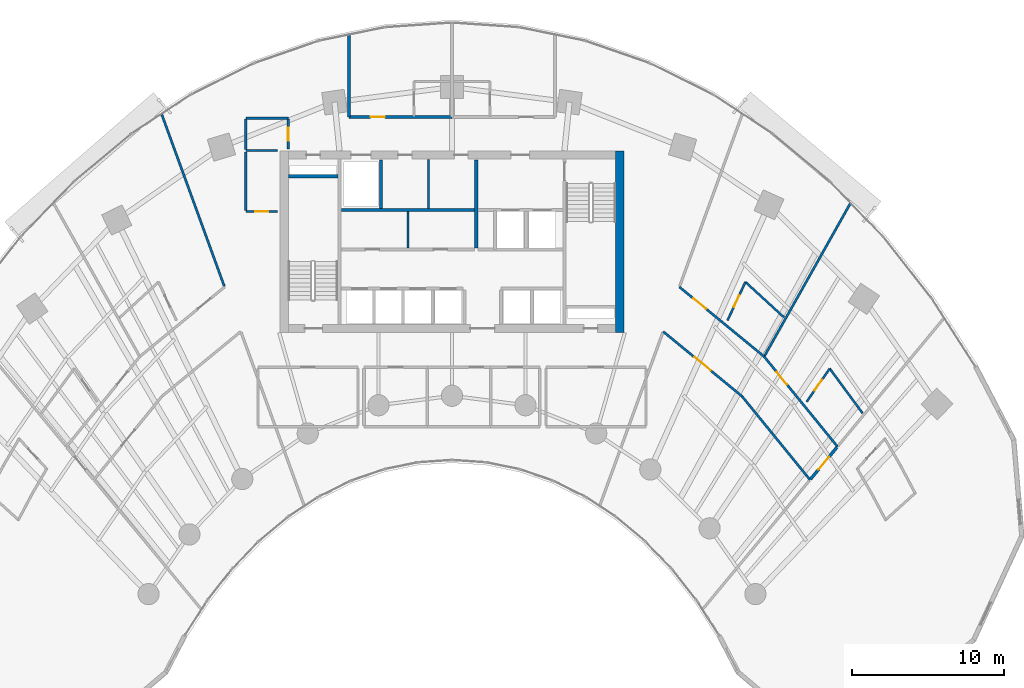
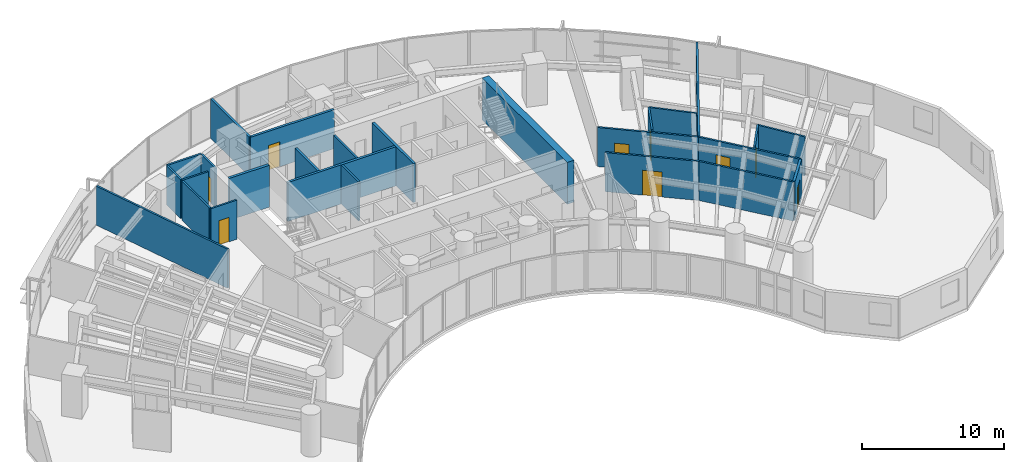
# One storey, part 13 of 17: 26 walls, 9 doors, 9 openings.
"""IFC4 building model written with IfcOpenShell, lengths in metres."""

from ifc_helpers import new_model, si_unit, direction, frame, frame_2d, origin, place, context, subcontext, project, spatial, rectangle, extrude, source, transform, mapped, material, layer, layer_set, type_object, type_shapes, element, fill, save


model = new_model("IFC4")

# Units and contexts
model_context = context("Model", 3, precision=1e-05, world=origin(), true_north=direction((0.0, 1.0)))
body_context = subcontext(model_context, "Body", "Model", "MODEL_VIEW")
ifc_project = project(units=[si_unit("LENGTHUNIT", "METRE"), si_unit("AREAUNIT", "SQUARE_METRE"), si_unit("VOLUMEUNIT", "CUBIC_METRE"), si_unit("PLANEANGLEUNIT", "RADIAN"), si_unit("MASSUNIT", "GRAM", prefix="KILO")], contexts=[model_context])

# Site, building, storey
site_placement = place(None, origin())
site = spatial("IfcSite", under=ifc_project, at=site_placement, CompositionType="ELEMENT")
building_placement = place(site_placement, origin())
building = spatial("IfcBuilding", under=site, at=building_placement, Name="Breltana Convention Tower", CompositionType="ELEMENT")
storey_placement = place(building_placement, frame((0.0, 0.0, 46.199951171875)))
storey = spatial("IfcBuildingStorey", under=building, at=storey_placement, Name="L09", CompositionType="ELEMENT", Elevation=46.199951171875)

# Walls
ifc_material_1 = material(Name="Concrete C60/75", Category="concrete")
ifc_layer_1 = layer(ifc_material_1, 0.550048828125, Name="Concrete C60/75")
ifc_layer_set_1 = layer_set([ifc_layer_1], Name="Concrete C60/75")
wall_type_1 = type_object("IfcWallType", Name="SW-CORE-550", PredefinedType="SHEAR", material=ifc_layer_set_1)
shared_shape_1 = source(origin(), body_context, "Body", "SweptSolid", [
    extrude(rectangle(XDim=12.0, YDim=0.550048828125, at=frame_2d((6.0, 0.0))), origin(), (0.0, 0.0, 1.0), 3.60009765625),
])
wall_1_placement = place(storey_placement, frame((59.074951171875, 60.199951171875, 0.0), z_axis=(0.0, 0.0, 1.0), x_axis=(0.0, 1.0, 0.0)))
element("IfcWall", 1, at=wall_1_placement, inside=storey, type_object=wall_type_1, Name="L09 East Core Shear Wall", PredefinedType="SHEAR", context=body_context, shape_type="MappedRepresentation", body=[
    mapped(shared_shape_1, transform((0.0, 0.0, 0.0), scale=1.0)),
])
ifc_material_2 = material(Name="Concrete C50/60", Category="concrete")
ifc_layer_2 = layer(ifc_material_2, 0.39990234375, Name="Concrete C50/60")
ifc_layer_set_2 = layer_set([ifc_layer_2], Name="Concrete C50/60")
wall_type_2 = type_object("IfcWallType", Name="SW-CORE-400", PredefinedType="SHEAR", material=ifc_layer_set_2)
shared_shape_2 = source(origin(), body_context, "Body", "SweptSolid", [
    extrude(rectangle(XDim=3.27001953125, YDim=0.219970703125, at=frame_2d((1.635009765625, 0.0))), origin(), (0.0, 0.0, 1.0), 3.60009765625),
])
wall_2_placement = place(storey_placement, frame((37.199951171875, 70.510009765625, 0.0), z_axis=(0.0, 0.0, 1.0), x_axis=(1.0, 0.0, 0.0)))
element("IfcWall", 2, at=wall_2_placement, inside=storey, type_object=wall_type_2, Name="L09 ST-1 Stairwell North Bearing Wall", PredefinedType="SHEAR", context=body_context, shape_type="MappedRepresentation", body=[
    mapped(shared_shape_2, transform((0.0, 0.0, 0.0), scale=1.0)),
])
ifc_material_3 = material(Name="Autoclaved Aerated Concrete Block", Category="concrete")
ifc_layer_3 = layer(ifc_material_3, 0.199951171875, Name="Autoclaved Aerated Concrete Block")
ifc_layer_set_3 = layer_set([ifc_layer_3], Name="Autoclaved Aerated Concrete Block")
wall_type_3 = type_object("IfcWallType", Name="WL-SHAFT-200", PredefinedType="SOLIDWALL", material=ifc_layer_set_3)
shared_shape_3 = source(origin(), body_context, "Body", "SweptSolid", [
    extrude(rectangle(XDim=5.800048828125, YDim=0.199951171875, at=frame_2d((2.89990234375, 0.0))), origin(), (0.0, 0.0, 1.0), 3.360107421875),
])
wall_3_placement = place(storey_placement, frame((49.60009765625, 65.800048828125, 0.0), z_axis=(0.0, 0.0, 1.0), x_axis=(0.0, 1.0, 0.0)))
element("IfcWall", 3, at=wall_3_placement, inside=storey, type_object=wall_type_3, Name="L09 interior partition W-L09-FFL-W", PredefinedType="SOLIDWALL", context=body_context, shape_type="MappedRepresentation", body=[
    mapped(shared_shape_3, transform((0.0, 0.0, 0.0), scale=1.0)),
])
shared_shape_4 = source(origin(), body_context, "Body", "SweptSolid", [
    extrude(rectangle(XDim=3.2001953125, YDim=0.199951171875, at=frame_2d((1.60009765625, 0.0))), origin(), (0.0, 0.0, 1.0), 3.360107421875),
])
wall_4_placement = place(storey_placement, frame((43.320068359375, 68.39990234375, 0.0), z_axis=(0.0, 0.0, 1.0), x_axis=(0.0, 1.0, 0.0)))
element("IfcWall", 4, at=wall_4_placement, inside=storey, type_object=wall_type_3, Name="L09 interior partition W-L09-SV-E", PredefinedType="SOLIDWALL", context=body_context, shape_type="MappedRepresentation", body=[
    mapped(shared_shape_4, transform((0.0, 0.0, 0.0), scale=1.0)),
])
shared_shape_5 = source(origin(), body_context, "Body", "SweptSolid", [
    extrude(rectangle(XDim=8.800048828125, YDim=0.199951171875, at=frame_2d((4.39990234375, 0.0))), origin(), (0.0, 0.0, 1.0), 3.360107421875),
])
wall_5_placement = place(storey_placement, frame((40.699951171875, 68.300048828125, 0.0), z_axis=(0.0, 0.0, 1.0), x_axis=(1.0, 0.0, 0.0)))
element("IfcWall", 5, at=wall_5_placement, inside=storey, type_object=wall_type_3, Name="L09 interior partition W-L09-SV-S", PredefinedType="SOLIDWALL", context=body_context, shape_type="MappedRepresentation", body=[
    mapped(shared_shape_5, transform((0.0, 0.0, 0.0), scale=1.0)),
])

# Wall, opening, door
ifc_material_4 = material(Name="Gypsum Acoustic Hotel Wall")
ifc_layer_4 = layer(ifc_material_4, 0.195068359375, Name="Gypsum Acoustic Hotel Wall")
ifc_layer_set_4 = layer_set([ifc_layer_4], Name="Gypsum Acoustic Hotel Wall")
wall_type_4 = type_object("IfcWallType", Name="WL-HOTEL-200", PredefinedType="PARTITIONING", material=ifc_layer_set_4)
shared_shape_6 = source(origin(), body_context, "Body", "SweptSolid", [
    extrude(rectangle(XDim=6.800048828125, YDim=0.195068359375, at=frame_2d((3.39990234375, 0.0))), origin(), (0.0, 0.0, 1.0), 3.360107421875),
])
type_shapes(wall_type_4, [shared_shape_6])
wall_6_placement = place(storey_placement, frame((41.199951171875, 74.419921875, 0.0), z_axis=(0.0, 0.0, 1.0), x_axis=(1.0, 0.0, 0.0)))
wall_6 = element("IfcWall", 6, at=wall_6_placement, inside=storey, type_object=wall_type_4, Name="L09 interior partition W-L09-GRN1-S", PredefinedType="PARTITIONING", context=body_context, shape_type="MappedRepresentation", body=[
    mapped(shared_shape_6, transform((0.0, 0.0, 0.0), scale=1.0)),
])
opening_1_placement = place(wall_6_placement, frame((1.428955078125, 0.0, 0.0)))
opening_1 = element("IfcOpeningElement", 7, at=opening_1_placement, cuts=wall_6, Name="Opening D-14", PredefinedType="OPENING", context=body_context, shape_type="SweptSolid", body=[
    extrude(rectangle(XDim=0.949951171875, YDim=2.14990234375, at=frame_2d((0.47509765625, 1.074951171875))), frame((0.0, 0.107421875, 0.0), z_axis=(0.0, -1.0, 0.0), x_axis=(1.0, 0.0, 0.0)), (0.0, 0.0, 1.0), 0.215087890625),
])
ifc_material_5 = material(Name="Timber Solid-Core Fire Door", Category="wood")
door_type_1 = type_object("IfcDoorType", Name="DR-FD60-950", OperationType="NOTDEFINED", PredefinedType="DOOR", material=ifc_material_5)
shared_shape_7 = source(origin(), body_context, "Body", "SweptSolid", [
    extrude(rectangle(XDim=0.949951171875, YDim=2.14990234375, at=frame_2d((0.47509765625, 1.074951171875))), frame((0.0, 0.02490234375, 0.0), z_axis=(0.0, -1.0, 0.0), x_axis=(1.0, 0.0, 0.0)), (0.0, 0.0, 1.0), 0.050048828125),
])
type_shapes(door_type_1, [shared_shape_7])
door_1_placement = place(opening_1_placement, origin())
door_1 = element("IfcDoor", 8, at=door_1_placement, inside=storey, type_object=door_type_1, Name="L09 interior door D-L09-GRN1", OperationType="SINGLE_SWING_RIGHT", OverallHeight=2.14990234375, OverallWidth=0.949951171875, PredefinedType="DOOR", context=body_context, shape_type="MappedRepresentation", body=[
    mapped(shared_shape_7, transform((0.0, 0.0, 0.0), scale=1.0)),
])
fill(opening_1, door_1)

# Wall
shared_shape_8 = source(origin(), body_context, "Body", "SweptSolid", [
    extrude(rectangle(XDim=5.42626953125, YDim=0.195068359375, at=frame_2d((2.713134765625, 0.0))), origin(), (0.0, 0.0, 1.0), 3.360107421875),
])
wall_7_placement = place(storey_placement, frame((41.199951171875, 74.419921875, 0.0), z_axis=(0.0, 0.0, 1.0), x_axis=(0.0, 1.0, 0.0)))
element("IfcWall", 9, at=wall_7_placement, inside=storey, type_object=wall_type_4, Name="L09 interior partition W-L09-GRN1-SD", PredefinedType="PARTITIONING", context=body_context, shape_type="MappedRepresentation", body=[
    mapped(shared_shape_8, transform((0.0, 0.0, 0.0), scale=1.0)),
])

# Wall, opening, door
shared_shape_9 = source(origin(), body_context, "Body", "SweptSolid", [
    extrude(rectangle(XDim=2.748291015625, YDim=0.195068359375, at=frame_2d((1.3740234375, 0.0))), origin(), (0.0, 0.0, 1.0), 3.360107421875),
])
wall_8_placement = place(storey_placement, frame((71.64697265625, 50.531005859375, 0.0), z_axis=(0.0, 0.0, 1.0), x_axis=(0.638111168284, 0.769944242729, 0.0)))
wall_8 = element("IfcWall", 10, at=wall_8_placement, inside=storey, type_object=wall_type_4, Name="L09 interior partition W-L09-CS-E-END", PredefinedType="PARTITIONING", context=body_context, shape_type="MappedRepresentation", body=[
    mapped(shared_shape_9, transform((0.0, 0.0, 0.0), scale=1.0)),
])
opening_2_placement = place(wall_8_placement, frame((0.84912109375, 0.0, 0.0)))
opening_2 = element("IfcOpeningElement", 11, at=opening_2_placement, cuts=wall_8, Name="Opening D-13", PredefinedType="OPENING", context=body_context, shape_type="SweptSolid", body=[
    extrude(rectangle(XDim=1.050048828125, YDim=2.14990234375, at=frame_2d((0.52490234375, 1.074951171875))), frame((0.0, 0.107421875, 0.0), z_axis=(0.0, -1.0, 0.0), x_axis=(1.0, 0.0, 0.0)), (0.0, 0.0, 1.0), 0.215087890625),
])
door_type_2 = type_object("IfcDoorType", Name="DR-FD60-1050", OperationType="NOTDEFINED", PredefinedType="DOOR", material=ifc_material_5)
shared_shape_10 = source(origin(), body_context, "Body", "SweptSolid", [
    extrude(rectangle(XDim=1.050048828125, YDim=2.14990234375, at=frame_2d((0.52490234375, 1.074951171875))), frame((0.0, 0.02490234375, 0.0), z_axis=(0.0, -1.0, 0.0), x_axis=(1.0, 0.0, 0.0)), (0.0, 0.0, 1.0), 0.050048828125),
])
type_shapes(door_type_2, [shared_shape_10])
door_2_placement = place(opening_2_placement, origin())
door_2 = element("IfcDoor", 12, at=door_2_placement, inside=storey, type_object=door_type_2, Name="L09 interior door D-L09-CS-E", OperationType="SINGLE_SWING_RIGHT", OverallHeight=2.14990234375, OverallWidth=1.050048828125, PredefinedType="DOOR", context=body_context, shape_type="MappedRepresentation", body=[
    mapped(shared_shape_10, transform((0.0, 0.0, 0.0), scale=1.0)),
])
fill(opening_2, door_2)

# Walls
ifc_material_6 = material(Name="Gypsum Acoustic Drywall Partition")
ifc_layer_5 = layer(ifc_material_6, 0.14990234375, Name="Gypsum Acoustic Drywall Partition")
ifc_layer_set_5 = layer_set([ifc_layer_5], Name="Gypsum Acoustic Drywall Partition")
wall_type_5 = type_object("IfcWallType", Name="WL-PART-150", PredefinedType="PARTITIONING", material=ifc_layer_set_5)
shared_shape_11 = source(origin(), body_context, "Body", "SweptSolid", [
    extrude(rectangle(XDim=3.22998046875, YDim=0.14990234375, at=frame_2d((1.614990234375, 0.0))), origin(), (0.0, 0.0, 1.0), 3.360107421875),
])
wall_9_placement = place(storey_placement, frame((46.449951171875, 68.39990234375, 0.0), z_axis=(0.0, 0.0, 1.0), x_axis=(0.0, 1.0, 0.0)))
element("IfcWall", 13, at=wall_9_placement, inside=storey, type_object=wall_type_5, Name="L09 interior partition W-L09-KV-1", PredefinedType="PARTITIONING", context=body_context, shape_type="MappedRepresentation", body=[
    mapped(shared_shape_11, transform((0.0, 0.0, 0.0), scale=1.0)),
])
shared_shape_12 = source(origin(), body_context, "Body", "SweptSolid", [
    extrude(rectangle(XDim=2.39990234375, YDim=0.14990234375, at=frame_2d((1.199951171875, 0.0))), origin(), (0.0, 0.0, 1.0), 3.360107421875),
])
wall_10_placement = place(storey_placement, frame((45.10009765625, 65.800048828125, 0.0), z_axis=(0.0, 0.0, 1.0), x_axis=(0.0, 1.0, 0.0)))
element("IfcWall", 14, at=wall_10_placement, inside=storey, type_object=wall_type_5, Name="L09 interior partition W-L09-LV7-B2-DIV", PredefinedType="PARTITIONING", context=body_context, shape_type="MappedRepresentation", body=[
    mapped(shared_shape_12, transform((0.0, 0.0, 0.0), scale=1.0)),
])
shared_shape_13 = source(origin(), body_context, "Body", "SweptSolid", [
    extrude(rectangle(XDim=2.10009765625, YDim=0.14990234375, at=frame_2d((1.050048828125, 0.0))), origin(), (0.0, 0.0, 1.0), 3.360107421875),
])
wall_11_placement = place(storey_placement, frame((34.39990234375, 72.219970703125, 0.0), z_axis=(0.0, 0.0, 1.0), x_axis=(1.0, 0.0, 0.0)))
element("IfcWall", 15, at=wall_11_placement, inside=storey, type_object=wall_type_5, Name="L09 interior partition W-L09-CRNW-S", PredefinedType="PARTITIONING", context=body_context, shape_type="MappedRepresentation", body=[
    mapped(shared_shape_13, transform((0.0, 0.0, 0.0), scale=1.0)),
])

# Wall, opening, door
wall_12_placement = place(storey_placement, frame((34.39990234375, 68.199951171875, 0.0), z_axis=(0.0, 0.0, 1.0), x_axis=(1.0, 0.0, 0.0)))
wall_12 = element("IfcWall", 16, at=wall_12_placement, inside=storey, type_object=wall_type_5, Name="L09 interior partition W-L09-CRSW-S", PredefinedType="PARTITIONING", context=body_context, shape_type="MappedRepresentation", body=[
    mapped(shared_shape_13, transform((0.0, 0.0, 0.0), scale=1.0)),
])
opening_3_placement = place(wall_12_placement, frame((0.625, 0.0, 0.0)))
opening_3 = element("IfcOpeningElement", 17, at=opening_3_placement, cuts=wall_12, Name="Opening D-20", PredefinedType="OPENING", context=body_context, shape_type="SweptSolid", body=[
    extrude(rectangle(XDim=0.85009765625, YDim=2.10009765625, at=frame_2d((0.425048828125, 1.050048828125))), frame((0.0, 0.0849609375, 0.0), z_axis=(0.0, -1.0, 0.0), x_axis=(1.0, 0.0, 0.0)), (0.0, 0.0, 1.0), 0.169921875),
])
ifc_material_7 = material(Name="Steel Closet Fire Door", Category="steel")
door_type_3 = type_object("IfcDoorType", Name="DR-FD60-850", OperationType="NOTDEFINED", PredefinedType="DOOR", material=ifc_material_7)
shared_shape_14 = source(origin(), body_context, "Body", "SweptSolid", [
    extrude(rectangle(XDim=0.85009765625, YDim=2.10009765625, at=frame_2d((0.425048828125, 1.050048828125))), frame((0.0, 0.02490234375, 0.0), z_axis=(0.0, -1.0, 0.0), x_axis=(1.0, 0.0, 0.0)), (0.0, 0.0, 1.0), 0.050048828125),
])
type_shapes(door_type_3, [shared_shape_14])
door_3_placement = place(opening_3_placement, origin())
door_3 = element("IfcDoor", 18, at=door_3_placement, inside=storey, type_object=door_type_3, Name="L09 interior door D-L09-CRSW", OperationType="SINGLE_SWING_RIGHT", OverallHeight=2.10009765625, OverallWidth=0.85009765625, PredefinedType="DOOR", context=body_context, shape_type="MappedRepresentation", body=[
    mapped(shared_shape_14, transform((0.0, 0.0, 0.0), scale=1.0)),
])
fill(opening_3, door_3)

# Walls
shared_shape_15 = source(origin(), body_context, "Body", "SweptSolid", [
    extrude(rectangle(XDim=2.800048828125, YDim=0.14990234375, at=frame_2d((1.39990234375, 0.0))), origin(), (0.0, 0.0, 1.0), 3.360107421875),
])
wall_13_placement = place(storey_placement, frame((34.39990234375, 74.35009765625, 0.0), z_axis=(0.0, 0.0, 1.0), x_axis=(1.0, 0.0, 0.0)))
element("IfcWall", 19, at=wall_13_placement, inside=storey, type_object=wall_type_5, Name="L09 interior partition W-L09-CRNW-N", PredefinedType="PARTITIONING", context=body_context, shape_type="MappedRepresentation", body=[
    mapped(shared_shape_15, transform((0.0, 0.0, 0.0), scale=1.0)),
])
shared_shape_16 = source(origin(), body_context, "Body", "SweptSolid", [
    extrude(rectangle(XDim=1.994873046875, YDim=0.14990234375, at=frame_2d((0.99755859375, 0.0))), origin(), (0.0, 0.0, 1.0), 3.360107421875),
])
wall_14_placement = place(storey_placement, frame((34.39990234375, 72.28759765625, 0.0), z_axis=(0.0, 0.0, 1.0), x_axis=(0.0, 1.0, 0.0)))
element("IfcWall", 20, at=wall_14_placement, inside=storey, type_object=wall_type_5, Name="L09 interior partition W-L09-CRNW-W", PredefinedType="PARTITIONING", context=body_context, shape_type="MappedRepresentation", body=[
    mapped(shared_shape_16, transform((0.0, 0.0, 0.0), scale=1.0)),
])

# Wall, opening, door
shared_shape_17 = source(origin(), body_context, "Body", "SweptSolid", [
    extrude(rectangle(XDim=1.982421875, YDim=0.14990234375, at=frame_2d((0.9912109375, 0.0))), origin(), (0.0, 0.0, 1.0), 3.360107421875),
])
wall_15_placement = place(storey_placement, frame((37.199951171875, 72.300048828125, 0.0), z_axis=(0.0, 0.0, 1.0), x_axis=(0.0, 1.0, 0.0)))
wall_15 = element("IfcWall", 21, at=wall_15_placement, inside=storey, type_object=wall_type_5, Name="L09 interior partition W-L09-CRNW-E", PredefinedType="PARTITIONING", context=body_context, shape_type="MappedRepresentation", body=[
    mapped(shared_shape_17, transform((0.0, 0.0, 0.0), scale=1.0)),
])
opening_4_placement = place(wall_15_placement, frame((0.56640625, 0.0, 0.0)))
opening_4 = element("IfcOpeningElement", 22, at=opening_4_placement, cuts=wall_15, Name="Opening D-20", PredefinedType="OPENING", context=body_context, shape_type="SweptSolid", body=[
    extrude(rectangle(XDim=0.85009765625, YDim=2.10009765625, at=frame_2d((0.425048828125, 1.050048828125))), frame((0.0, 0.0849609375, 0.0), z_axis=(0.0, -1.0, 0.0), x_axis=(1.0, 0.0, 0.0)), (0.0, 0.0, 1.0), 0.169921875),
])
door_4_placement = place(opening_4_placement, origin())
door_4 = element("IfcDoor", 23, at=door_4_placement, inside=storey, type_object=door_type_3, Name="L09 interior door D-L09-CRNW", OperationType="SINGLE_SWING_LEFT", OverallHeight=2.10009765625, OverallWidth=0.85009765625, PredefinedType="DOOR", context=body_context, shape_type="MappedRepresentation", body=[
    mapped(shared_shape_14, transform((0.0, 0.0, 0.0), scale=1.0)),
])
fill(opening_4, door_4)

# Wall
shared_shape_18 = source(origin(), body_context, "Body", "SweptSolid", [
    extrude(rectangle(XDim=3.844970703125, YDim=0.14990234375, at=frame_2d((1.92236328125, 0.0))), origin(), (0.0, 0.0, 1.0), 3.360107421875),
])
wall_16_placement = place(storey_placement, frame((34.39990234375, 68.267578125, 0.0), z_axis=(0.0, 0.0, 1.0), x_axis=(0.0, 1.0, 0.0)))
element("IfcWall", 24, at=wall_16_placement, inside=storey, type_object=wall_type_5, Name="L09 interior partition W-L09-CRSW-W", PredefinedType="PARTITIONING", context=body_context, shape_type="MappedRepresentation", body=[
    mapped(shared_shape_18, transform((0.0, 0.0, 0.0), scale=1.0)),
])

# Wall, opening, door
shared_shape_19 = source(origin(), body_context, "Body", "SweptSolid", [
    extrude(rectangle(XDim=7.65869140625, YDim=0.14990234375, at=frame_2d((3.829345703125, 0.0))), origin(), (0.0, 0.0, 1.0), 3.360107421875),
])
wall_17_placement = place(storey_placement, frame((68.593994140625, 58.621337890625, 0.0), z_axis=(0.0, 0.0, 1.0), x_axis=(0.631489868862, -0.775384127723, 0.0)))
wall_17 = element("IfcWall", 25, at=wall_17_placement, inside=storey, type_object=wall_type_5, Name="L09 interior partition W-L09-HS04-COR", PredefinedType="PARTITIONING", context=body_context, shape_type="MappedRepresentation", body=[
    mapped(shared_shape_19, transform((0.0, 0.0, 0.0), scale=1.0)),
])
opening_5_placement = place(wall_17_placement, frame((1.31298828125, 0.0, 0.0)))
opening_5 = element("IfcOpeningElement", 26, at=opening_5_placement, cuts=wall_17, Name="Opening D-13", PredefinedType="OPENING", context=body_context, shape_type="SweptSolid", body=[
    extrude(rectangle(XDim=1.050048828125, YDim=2.14990234375, at=frame_2d((0.52490234375, 1.074951171875))), frame((0.0, 0.0849609375, 0.0), z_axis=(0.0, -1.0, 0.0), x_axis=(1.0, 0.0, 0.0)), (0.0, 0.0, 1.0), 0.169921875),
])
door_5_placement = place(opening_5_placement, origin())
door_5 = element("IfcDoor", 27, at=door_5_placement, inside=storey, type_object=door_type_2, Name="L09 interior door D-L09-HS04", OperationType="SINGLE_SWING_RIGHT", OverallHeight=2.14990234375, OverallWidth=1.050048828125, PredefinedType="DOOR", context=body_context, shape_type="MappedRepresentation", body=[
    mapped(shared_shape_10, transform((0.0, 0.0, 0.0), scale=1.0)),
])
fill(opening_5, door_5)

# Walls
shared_shape_20 = source(origin(), body_context, "Body", "SweptSolid", [
    extrude(rectangle(XDim=11.572509765625, YDim=0.14990234375, at=frame_2d((5.7861328125, 0.0))), origin(), (0.0, 0.0, 1.0), 3.360107421875),
])
wall_18_placement = place(storey_placement, frame((68.6181640625, 58.6640625, 0.0), z_axis=(0.0, 0.0, 1.0), x_axis=(0.490161073951, 0.871631872744, 0.0)))
element("IfcWall", 28, at=wall_18_placement, inside=storey, type_object=wall_type_5, Name="L09 interior partition W-L09-HS03-RB", PredefinedType="PARTITIONING", context=body_context, shape_type="MappedRepresentation", body=[
    mapped(shared_shape_20, transform((0.0, 0.0, 0.0), scale=1.0)),
])
ifc_material_8 = material(Name="Moisture-Resistant En-Suite Partition")
ifc_layer_6 = layer(ifc_material_8, 0.139892578125, Name="Moisture-Resistant En-Suite Partition")
ifc_layer_set_6 = layer_set([ifc_layer_6], Name="Moisture-Resistant En-Suite Partition")
wall_type_6 = type_object("IfcWallType", Name="WL-WET-150", PredefinedType="PARTITIONING", material=ifc_layer_set_6)
shared_shape_21 = source(origin(), body_context, "Body", "SweptSolid", [
    extrude(rectangle(XDim=3.656494140625, YDim=0.139892578125, at=frame_2d((1.828125, 0.0))), origin(), (0.0, 0.0, 1.0), 3.360107421875),
])
wall_19_placement = place(storey_placement, frame((72.917724609375, 57.831298828125, 0.0), z_axis=(0.0, 0.0, 1.0), x_axis=(0.592700141555, -0.805423206892, 0.0)))
element("IfcWall", 29, at=wall_19_placement, inside=storey, type_object=wall_type_6, Name="L09 interior partition W-L09-HS04E-BK", PredefinedType="PARTITIONING", context=body_context, shape_type="MappedRepresentation", body=[
    mapped(shared_shape_21, transform((0.0, 0.0, 0.0), scale=1.0)),
])

# Wall, opening, door
shared_shape_22 = source(origin(), body_context, "Body", "SweptSolid", [
    extrude(rectangle(XDim=7.23681640625, YDim=0.14990234375, at=frame_2d((3.618408203125, 0.0))), origin(), (0.0, 0.0, 1.0), 3.360107421875),
])
wall_20_placement = place(storey_placement, frame((63.001220703125, 63.214111328125, 0.0), z_axis=(0.0, 0.0, 1.0), x_axis=(0.772813707793, -0.634632943557, 0.0)))
wall_20 = element("IfcWall", 30, at=wall_20_placement, inside=storey, type_object=wall_type_5, Name="L09 interior partition W-L09-HS03-COR", PredefinedType="PARTITIONING", context=body_context, shape_type="MappedRepresentation", body=[
    mapped(shared_shape_22, transform((0.0, 0.0, 0.0), scale=1.0)),
])
opening_6_placement = place(wall_20_placement, frame((1.2119140625, 0.0, 0.0)))
opening_6 = element("IfcOpeningElement", 31, at=opening_6_placement, cuts=wall_20, Name="Opening D-13", PredefinedType="OPENING", context=body_context, shape_type="SweptSolid", body=[
    extrude(rectangle(XDim=1.050048828125, YDim=2.14990234375, at=frame_2d((0.52490234375, 1.074951171875))), frame((0.0, 0.0849609375, 0.0), z_axis=(0.0, -1.0, 0.0), x_axis=(1.0, 0.0, 0.0)), (0.0, 0.0, 1.0), 0.169921875),
])
door_6_placement = place(opening_6_placement, origin())
door_6 = element("IfcDoor", 32, at=door_6_placement, inside=storey, type_object=door_type_2, Name="L09 interior door D-L09-HS03", OperationType="SINGLE_SWING_RIGHT", OverallHeight=2.14990234375, OverallWidth=1.050048828125, PredefinedType="DOOR", context=body_context, shape_type="MappedRepresentation", body=[
    mapped(shared_shape_10, transform((0.0, 0.0, 0.0), scale=1.0)),
])
fill(opening_6, door_6)

# Walls
shared_shape_23 = source(origin(), body_context, "Body", "SweptSolid", [
    extrude(rectangle(XDim=12.088134765625, YDim=0.14990234375, at=frame_2d((6.0439453125, 0.0))), origin(), (0.0, 0.0, 1.0), 3.360107421875),
])
wall_21_placement = place(storey_placement, frame((32.9814453125, 63.26220703125, 0.0), z_axis=(0.0, 0.0, 1.0), x_axis=(-0.34203007529, 0.939689005787, 0.0)))
element("IfcWall", 33, at=wall_21_placement, inside=storey, type_object=wall_type_5, Name="L09 interior partition W-L09-HS02-RB", PredefinedType="PARTITIONING", context=body_context, shape_type="MappedRepresentation", body=[
    mapped(shared_shape_23, transform((0.0, 0.0, 0.0), scale=1.0)),
])
shared_shape_24 = source(origin(), body_context, "Body", "SweptSolid", [
    extrude(rectangle(XDim=3.456298828125, YDim=0.139892578125, at=frame_2d((1.72802734375, 0.0))), origin(), (0.0, 0.0, 1.0), 3.360107421875),
])
wall_22_placement = place(storey_placement, frame((67.357666015625, 63.5439453125, 0.0), z_axis=(0.0, 0.0, 1.0), x_axis=(0.736860870293, -0.676044420013, 0.0)))
element("IfcWall", 34, at=wall_22_placement, inside=storey, type_object=wall_type_6, Name="L09 interior partition W-L09-HS03E-BK", PredefinedType="PARTITIONING", context=body_context, shape_type="MappedRepresentation", body=[
    mapped(shared_shape_24, transform((0.0, 0.0, 0.0), scale=1.0)),
])

# Wall, opening, door
shared_shape_25 = source(origin(), body_context, "Body", "SweptSolid", [
    extrude(rectangle(XDim=2.796142578125, YDim=0.139892578125, at=frame_2d((1.39794921875, 0.0))), origin(), (0.0, 0.0, 1.0), 3.360107421875),
])
wall_23_placement = place(storey_placement, frame((66.1767578125, 61.00927734375, 0.0), z_axis=(0.0, 0.0, 1.0), x_axis=(0.422316594955, 0.906448395456, 0.0)))
wall_23 = element("IfcWall", 35, at=wall_23_placement, inside=storey, type_object=wall_type_6, Name="L09 interior partition W-L09-HS03E-SD", PredefinedType="PARTITIONING", context=body_context, shape_type="MappedRepresentation", body=[
    mapped(shared_shape_25, transform((0.0, 0.0, 0.0), scale=1.0)),
])
opening_7_placement = place(wall_23_placement, frame((0.97314453125, 0.0, 0.0)))
opening_7 = element("IfcOpeningElement", 36, at=opening_7_placement, cuts=wall_23, Name="Opening D-21", PredefinedType="OPENING", context=body_context, shape_type="SweptSolid", body=[
    extrude(rectangle(XDim=0.85009765625, YDim=2.050048828125, at=frame_2d((0.425048828125, 1.02490234375))), frame((0.0, 0.080078125, 0.0), z_axis=(0.0, -1.0, 0.0), x_axis=(1.0, 0.0, 0.0)), (0.0, 0.0, 1.0), 0.159912109375),
])
ifc_material_9 = material(Name="Timber Moisture-Resistant En-Suite Door", Category="wood")
door_type_4 = type_object("IfcDoorType", Name="DR-WET-850", OperationType="NOTDEFINED", PredefinedType="DOOR", material=ifc_material_9)
shared_shape_26 = source(origin(), body_context, "Body", "SweptSolid", [
    extrude(rectangle(XDim=0.85009765625, YDim=2.050048828125, at=frame_2d((0.425048828125, 1.02490234375))), frame((0.0, 0.02490234375, 0.0), z_axis=(0.0, -1.0, 0.0), x_axis=(1.0, 0.0, 0.0)), (0.0, 0.0, 1.0), 0.050048828125),
])
type_shapes(door_type_4, [shared_shape_26])
door_7_placement = place(opening_7_placement, origin())
door_7 = element("IfcDoor", 37, at=door_7_placement, inside=storey, type_object=door_type_4, Name="L09 interior door D-L09-HS03E", OperationType="SINGLE_SWING_LEFT", OverallHeight=2.050048828125, OverallWidth=0.85009765625, PredefinedType="DOOR", context=body_context, shape_type="MappedRepresentation", body=[
    mapped(shared_shape_26, transform((0.0, 0.0, 0.0), scale=1.0)),
])
fill(opening_7, door_7)

shared_shape_27 = source(origin(), body_context, "Body", "SweptSolid", [
    extrude(rectangle(XDim=2.662841796875, YDim=0.139892578125, at=frame_2d((1.33154296875, 0.0))), origin(), (0.0, 0.0, 1.0), 3.360107421875),
])
wall_24_placement = place(storey_placement, frame((71.3974609375, 55.64501953125, 0.0), z_axis=(0.0, 0.0, 1.0), x_axis=(0.570905989724, 0.821015438891, 0.0)))
wall_24 = element("IfcWall", 38, at=wall_24_placement, inside=storey, type_object=wall_type_6, Name="L09 interior partition W-L09-HS04E-SD", PredefinedType="PARTITIONING", context=body_context, shape_type="MappedRepresentation", body=[
    mapped(shared_shape_27, transform((0.0, 0.0, 0.0), scale=1.0)),
])
opening_8_placement = place(wall_24_placement, frame((0.906494140625, 0.0, 0.0)))
opening_8 = element("IfcOpeningElement", 39, at=opening_8_placement, cuts=wall_24, Name="Opening D-21", PredefinedType="OPENING", context=body_context, shape_type="SweptSolid", body=[
    extrude(rectangle(XDim=0.85009765625, YDim=2.050048828125, at=frame_2d((0.425048828125, 1.02490234375))), frame((0.0, 0.080078125, 0.0), z_axis=(0.0, -1.0, 0.0), x_axis=(1.0, 0.0, 0.0)), (0.0, 0.0, 1.0), 0.159912109375),
])
door_8_placement = place(opening_8_placement, origin())
door_8 = element("IfcDoor", 40, at=door_8_placement, inside=storey, type_object=door_type_4, Name="L09 interior door D-L09-HS04E", OperationType="SINGLE_SWING_LEFT", OverallHeight=2.050048828125, OverallWidth=0.85009765625, PredefinedType="DOOR", context=body_context, shape_type="MappedRepresentation", body=[
    mapped(shared_shape_26, transform((0.0, 0.0, 0.0), scale=1.0)),
])
fill(opening_8, door_8)

# Wall
shared_shape_28 = source(origin(), body_context, "Body", "SweptSolid", [
    extrude(rectangle(XDim=7.112548828125, YDim=0.14990234375, at=frame_2d((3.55615234375, 0.0))), origin(), (0.0, 0.0, 1.0), 3.360107421875),
])
wall_25_placement = place(storey_placement, frame((67.125732421875, 56.010009765625, 0.0), z_axis=(0.0, 0.0, 1.0), x_axis=(0.63149032532, -0.775383755974, 0.0)))
element("IfcWall", 41, at=wall_25_placement, inside=storey, type_object=wall_type_5, Name="L09 interior partition W-L09-HCF2-COR2", PredefinedType="PARTITIONING", context=body_context, shape_type="MappedRepresentation", body=[
    mapped(shared_shape_28, transform((0.0, 0.0, 0.0), scale=1.0)),
])

# Wall, opening, door
shared_shape_29 = source(origin(), body_context, "Body", "SweptSolid", [
    extrude(rectangle(XDim=6.72119140625, YDim=0.14990234375, at=frame_2d((3.360595703125, 0.0))), origin(), (0.0, 0.0, 1.0), 3.360107421875),
])
wall_26_placement = place(storey_placement, frame((61.931396484375, 60.275390625, 0.0), z_axis=(0.0, 0.0, 1.0), x_axis=(0.772828051199, -0.63461547671, 0.0)))
wall_26 = element("IfcWall", 42, at=wall_26_placement, inside=storey, type_object=wall_type_5, Name="L09 interior partition W-L09-HCF2-COR1", PredefinedType="PARTITIONING", context=body_context, shape_type="MappedRepresentation", body=[
    mapped(shared_shape_29, transform((0.0, 0.0, 0.0), scale=1.0)),
])
opening_9_placement = place(wall_26_placement, frame((2.660400390625, 0.0, 0.0)))
opening_9 = element("IfcOpeningElement", 43, at=opening_9_placement, cuts=wall_26, Name="Opening D-05", PredefinedType="OPENING", context=body_context, shape_type="SweptSolid", body=[
    extrude(rectangle(XDim=1.39990234375, YDim=2.14990234375, at=frame_2d((0.699951171875, 1.074951171875))), frame((0.0, 0.0849609375, 0.0), z_axis=(0.0, -1.0, 0.0), x_axis=(1.0, 0.0, 0.0)), (0.0, 0.0, 1.0), 0.169921875),
])
ifc_material_10 = material(Name="Timber Veneer Glazed Double Door", Category="wood")
door_type_5 = type_object("IfcDoorType", Name="DR-DBL-1400", OperationType="DOUBLE_DOOR_SINGLE_SWING", PredefinedType="DOOR", material=ifc_material_10)
shared_shape_30 = source(origin(), body_context, "Body", "SweptSolid", [
    extrude(rectangle(XDim=1.39990234375, YDim=2.14990234375, at=frame_2d((0.699951171875, 1.074951171875))), frame((0.0, 0.02490234375, 0.0), z_axis=(0.0, -1.0, 0.0), x_axis=(1.0, 0.0, 0.0)), (0.0, 0.0, 1.0), 0.050048828125),
])
type_shapes(door_type_5, [shared_shape_30])
door_9_placement = place(opening_9_placement, origin())
door_9 = element("IfcDoor", 44, at=door_9_placement, inside=storey, type_object=door_type_5, Name="L09 interior door D-L09-HCF2", OperationType="SINGLE_SWING_LEFT", OverallHeight=2.14990234375, OverallWidth=1.39990234375, PredefinedType="DOOR", context=body_context, shape_type="MappedRepresentation", body=[
    mapped(shared_shape_30, transform((0.0, 0.0, 0.0), scale=1.0)),
])
fill(opening_9, door_9)

save(model, "model.ifc")
